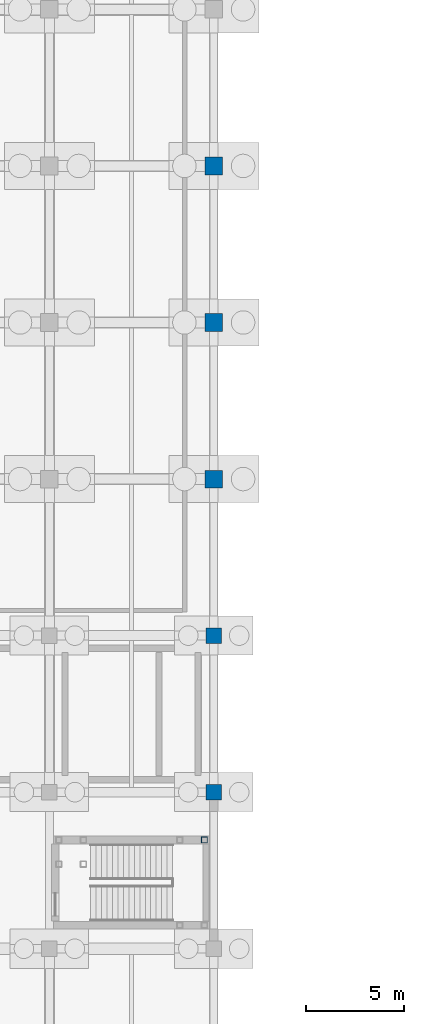
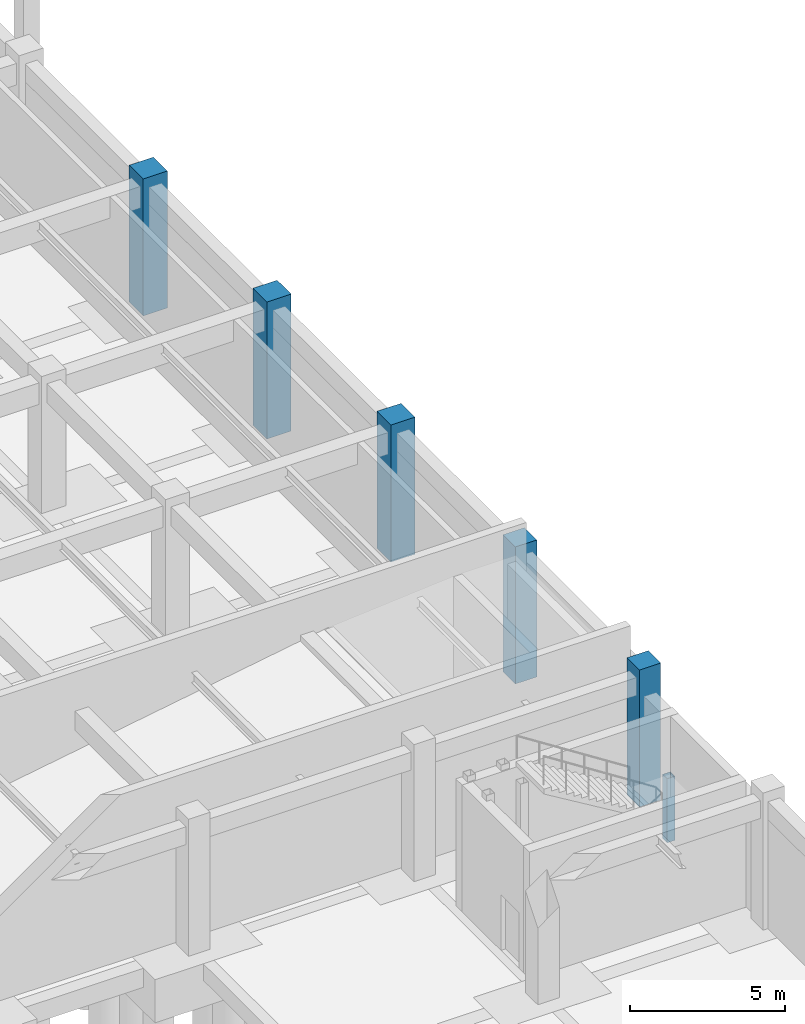
# One storey, part 29 of 56: 6 columns.
"""IFC4 building model written with IfcOpenShell, lengths in metres."""

import ifcopenshell
import ifcopenshell.guid

model = None  # the IFC model being written
_history = None  # IfcOwnerHistory: only IFC2X3 demands one
_inside = {}  # id of a spatial element -> (the spatial element, [elements in it])
_under = {}  # id of a project, library or spatial element -> (it, [spatial elements below it])
_declared = {}  # id of a project -> (the project, [libraries it declares])
_typed = {}  # id of a type object -> (the type object, [elements of that type])
_made_of = {}  # id of a material, layer set ... -> (it, [elements and type objects made of it])


def new_model(schema):
    """Start an empty IFC model of exactly this schema.

    Asked for "IFC4X3", IfcOpenShell would pick the latest addendum, in which some entities
    have other attributes; the version numbers below select the first issue.
    IFC2X3 requires an IfcOwnerHistory on every rooted entity: one is made here for all.
    """
    global model, _history
    if schema == "IFC4X3":
        model = ifcopenshell.file(schema_version=(4, 3, 0, 0))
    else:
        model = ifcopenshell.file(schema=schema)
    _inside.clear()
    _under.clear()
    _declared.clear()
    _typed.clear()
    _made_of.clear()
    _history = None
    if model.schema == "IFC2X3":
        org = make("IfcOrganization", Name="unknown")
        user = make(
            "IfcPersonAndOrganization",
            ThePerson=make("IfcPerson", FamilyName="unknown"),
            TheOrganization=org,
        )
        app = make(
            "IfcApplication",
            ApplicationDeveloper=org,
            Version="unknown",
            ApplicationFullName="unknown",
            ApplicationIdentifier="unknown",
        )
        _history = make(
            "IfcOwnerHistory",
            OwningUser=user,
            OwningApplication=app,
            ChangeAction="ADDED",
            CreationDate=0,
        )
    return model


def make(cls, **values):
    """One entity of the class cls with the attributes given. An attribute that is None is left unset."""
    return model.create_entity(
        cls, **{name: value for name, value in values.items() if value is not None}
    )


def rooted(cls, **values):
    """An entity with a GlobalId (a new one), such as an element, a storey or a relation."""
    return make(cls, GlobalId=ifcopenshell.guid.new(), OwnerHistory=_history, **values)


def si_unit(unit_type, name, prefix=None):
    """IfcSIUnit, for example si_unit("LENGTHUNIT", "METRE", prefix="MILLI")."""
    return make("IfcSIUnit", UnitType=unit_type, Prefix=prefix, Name=name)


def assignment(units):
    """IfcUnitAssignment: the units of a project."""
    return None if units is None else make("IfcUnitAssignment", Units=units)


def point(xyz):
    """IfcCartesianPoint."""
    return None if xyz is None else make("IfcCartesianPoint", Coordinates=xyz)


def direction(xyz):
    """IfcDirection."""
    return None if xyz is None else make("IfcDirection", DirectionRatios=xyz)


def frame(location, z_axis=None, x_axis=None):
    """IfcAxis2Placement3D, a coordinate frame: its origin and axes. An axis left out is left unset."""
    return make(
        "IfcAxis2Placement3D",
        Location=point(location),
        Axis=direction(z_axis),
        RefDirection=direction(x_axis),
    )


def frame_2d(location, x_axis=None):
    """IfcAxis2Placement2D, a coordinate frame in the plane: its origin and x axis."""
    return make(
        "IfcAxis2Placement2D", Location=point(location), RefDirection=direction(x_axis)
    )


def origin():
    """The frame at (0, 0, 0) with its axes left unset."""
    return frame((0.0, 0.0, 0.0))


def origin_2d():
    """The frame at (0, 0) in the plane with its x axis left unset."""
    return frame_2d((0.0, 0.0))


def place(relative_to, where):
    """IfcLocalPlacement: puts the frame where relative to a parent placement (None: the world)."""
    return make(
        "IfcLocalPlacement", PlacementRelTo=relative_to, RelativePlacement=where
    )


def context(
    kind, dimensions, precision=None, world=None, true_north=None, identifier=None
):
    """IfcGeometricRepresentationContext, for example the 3D "Model" context."""
    return make(
        "IfcGeometricRepresentationContext",
        ContextIdentifier=identifier,
        ContextType=kind,
        CoordinateSpaceDimension=dimensions,
        Precision=precision,
        WorldCoordinateSystem=world,
        TrueNorth=true_north,
    )


def subcontext(parent, identifier, kind, view, scale=None):
    """IfcGeometricRepresentationSubContext, for example "Body" below "Model"."""
    return make(
        "IfcGeometricRepresentationSubContext",
        ContextIdentifier=identifier,
        ContextType=kind,
        ParentContext=parent,
        TargetScale=scale,
        TargetView=view,
    )


def project(units=None, contexts=None):
    """IfcProject with its units and contexts."""
    return rooted(
        "IfcProject",
        Name="project",
        RepresentationContexts=contexts,
        UnitsInContext=assignment(units),
    )


def spatial(cls, under=None, at=None, **own):
    """A site, building, storey or space (cls), placed at a placement, below another one or the project."""
    s = rooted(cls, ObjectPlacement=at, **own)
    if under is not None:
        _under.setdefault(under.id(), (under, []))[1].append(s)
    return s


def profile(cls, at=None, kind="AREA", **sizes):
    """A parametric profile (cls). Its sizes go by their IFC names, for example OverallWidth=200.0."""
    return make(cls, ProfileType=kind, Position=at, **sizes)


def rectangle(**sizes):
    """IfcRectangleProfileDef."""
    return profile("IfcRectangleProfileDef", **sizes)


def hollow_rectangle(**sizes):
    """IfcRectangleHollowProfileDef."""
    return profile("IfcRectangleHollowProfileDef", **sizes)


def extrude(swept, where, along, depth):
    """IfcExtrudedAreaSolid: the profile swept, set in the frame where, extruded along a direction by depth."""
    return make(
        "IfcExtrudedAreaSolid",
        SweptArea=swept,
        Position=where,
        ExtrudedDirection=direction(along),
        Depth=depth,
    )


def shape(context_of_items, identifier, shape_type, items):
    """IfcShapeRepresentation: the items that make up one representation, for example the "Body"."""
    return make(
        "IfcShapeRepresentation",
        ContextOfItems=context_of_items,
        RepresentationIdentifier=identifier,
        RepresentationType=shape_type,
        Items=items,
    )


def material(Name=None, Category=None):
    """IfcMaterial."""
    return make("IfcMaterial", Name=Name, Category=Category)


def material_profile(
    of_material, cross_section, Name=None, Category=None, Priority=None
):
    """IfcMaterialProfile: a cross section and its material."""
    return make(
        "IfcMaterialProfile",
        Name=Name,
        Material=of_material,
        Profile=cross_section,
        Priority=Priority,
        Category=Category,
    )


def profile_set(profiles, Name=None, composite=None):
    """IfcMaterialProfileSet."""
    return make(
        "IfcMaterialProfileSet",
        Name=Name,
        MaterialProfiles=profiles,
        CompositeProfile=composite,
    )


def made_of(thing, what):
    """Note that an element or type object is made of a material, layer set ...; save() writes the relation."""
    if what is not None:
        _made_of.setdefault(what.id(), (what, []))[1].append(thing)
    return thing


def type_object(cls, material=None, **own):
    """A type object (cls), such as IfcWallType, which elements share."""
    return made_of(rooted(cls, **own), material)


def element(
    cls,
    number,
    at=None,
    inside=None,
    cuts=None,
    type_object=None,
    material=None,
    context=None,
    identifier="Body",
    shape_type=None,
    held_by="IfcProductDefinitionShape",
    body=None,
    shapes=None,
    **own,
):
    """One element of the class cls, such as IfcWall. Its Tag is "e" and its number.

    at: its placement. inside: the storey or other place that contains it. cuts: it is an
    opening in that element (IfcRelVoidsElement). A single representation is given by context,
    identifier, shape_type and body (its items); several are given by shapes. held_by: the class
    of the entity that holds the representations. save() writes the other relations.
    """
    e = rooted(cls, Tag="e%d" % number, ObjectPlacement=at, **own)
    if body is not None:
        shapes = [shape(context, identifier, shape_type, body)]
    if shapes is not None:
        e.Representation = make(held_by, Representations=shapes)
    if inside is not None:
        _inside.setdefault(inside.id(), (inside, []))[1].append(e)
    if cuts is not None:
        rooted(
            "IfcRelVoidsElement", RelatingBuildingElement=cuts, RelatedOpeningElement=e
        )
    if type_object is not None:
        _typed.setdefault(type_object.id(), (type_object, []))[1].append(e)
    return made_of(e, material)


def aggregate(whole, parts):
    """IfcRelAggregates: a whole, such as a stair, and the parts it consists of."""
    return rooted("IfcRelAggregates", RelatingObject=whole, RelatedObjects=parts)


def save(model, path):
    """Write the relations noted so far, then the file.

    IfcRelAggregates (storeys below a building ...), IfcRelContainedInSpatialStructure (elements
    in a storey), IfcRelDefinesByType, IfcRelAssociatesMaterial and IfcRelDeclares: one each for
    every whole, place, type object, material and project.
    """
    for whole, parts in _under.values():
        aggregate(whole, parts)
    for where, things in _inside.values():
        rooted(
            "IfcRelContainedInSpatialStructure",
            RelatedElements=things,
            RelatingStructure=where,
        )
    for kind, things in _typed.values():
        rooted("IfcRelDefinesByType", RelatedObjects=things, RelatingType=kind)
    for what, things in _made_of.values():
        rooted("IfcRelAssociatesMaterial", RelatedObjects=things, RelatingMaterial=what)
    for by, libraries in _declared.values():
        rooted("IfcRelDeclares", RelatingContext=by, RelatedDefinitions=libraries)
    model.write(path)


model = new_model("IFC4")

# Units and contexts
model_context = context("Model", 3, precision=1e-05, world=origin(), true_north=direction((0.0, 1.0)))
body_context = subcontext(model_context, "Body", "Model", "MODEL_VIEW")
ifc_project = project(units=[si_unit("LENGTHUNIT", "METRE"), si_unit("AREAUNIT", "SQUARE_METRE"), si_unit("VOLUMEUNIT", "CUBIC_METRE"), si_unit("PLANEANGLEUNIT", "RADIAN"), si_unit("MASSUNIT", "GRAM", prefix="KILO")], contexts=[model_context])

# Site, building, storey
site_placement = place(None, origin())
site = spatial("IfcSite", under=ifc_project, at=site_placement, CompositionType="ELEMENT")
building_placement = place(site_placement, origin())
building = spatial("IfcBuilding", under=site, at=building_placement, Name="Naruveol Harbour Congress Hotel", CompositionType="ELEMENT")
storey_placement = place(building_placement, frame((0.0, 0.0, -5.39990234375)))
storey = spatial("IfcBuildingStorey", under=building, at=storey_placement, Name="B01", CompositionType="ELEMENT", Elevation=-5.39990234375)

# Columns
ifc_material_1 = material(Name="Concrete C50/60", Category="concrete")
ifc_material_profile_1 = material_profile(ifc_material_1, rectangle(XDim=0.800048828125, YDim=0.800048828125, at=origin_2d()), Name="RC-800x800")
ifc_profile_set_1 = profile_set([ifc_material_profile_1], Name="Concrete C50/60")
column_type_1 = type_object("IfcColumnType", Name="RC PODIUM COLUMN 800X800", PredefinedType="COLUMN", material=ifc_profile_set_1)
for number, where, z_axis, x_axis, name in (
    (1, (126.0, 64.0, 0.0), (0.0, 0.0, 1.0), (1.0, 0.0, 0.0), "Column C-800 B01 (126.0,64.0)"),
    (2, (126.0, 72.0, 0.0), (0.0, 0.0, 1.0), (1.0, 0.0, 0.0), "Column C-800 B01 (126.0,72.0)"),
):
    element("IfcColumn", number, at=place(storey_placement, frame(where, z_axis=z_axis, x_axis=x_axis)), inside=storey, type_object=column_type_1, Name=name, PredefinedType="COLUMN", context=body_context, shape_type="SweptSolid", body=[
        extrude(rectangle(XDim=0.800048828125, YDim=0.800048828125, at=origin_2d()), origin(), (0.0, 0.0, 1.0), 5.39990234375),
    ])
ifc_material_2 = material(Name="Concrete C50/60", Category="concrete")
ifc_material_profile_2 = material_profile(ifc_material_2, rectangle(XDim=0.89990234375, YDim=0.89990234375, at=origin_2d()), Name="RC-900x900")
ifc_profile_set_2 = profile_set([ifc_material_profile_2], Name="Concrete C50/60")
column_type_2 = type_object("IfcColumnType", Name="RC PRIMARY COLUMN 900X900", PredefinedType="COLUMN", material=ifc_profile_set_2)
for number, where, z_axis, x_axis, name in (
    (3, (126.0, 80.0, 0.0), (0.0, 0.0, 1.0), (1.0, 0.0, 0.0), "Column C-900 B01 (126.0,80.0)"),
    (4, (126.0, 88.0, 0.0), (0.0, 0.0, 1.0), (1.0, 0.0, 0.0), "Column C-900 B01 (126.0,88.0)"),
    (5, (126.0, 96.0, 0.0), (0.0, 0.0, 1.0), (1.0, 0.0, 0.0), "Column C-900 B01 (126.0,96.0)"),
):
    element("IfcColumn", number, at=place(storey_placement, frame(where, z_axis=z_axis, x_axis=x_axis)), inside=storey, type_object=column_type_2, Name=name, PredefinedType="COLUMN", context=body_context, shape_type="SweptSolid", body=[
        extrude(rectangle(XDim=0.89990234375, YDim=0.89990234375, at=origin_2d()), origin(), (0.0, 0.0, 1.0), 5.39990234375),
    ])
ifc_material_3 = material(Name="Steel SN490", Category="steel")
ifc_material_profile_3 = material_profile(ifc_material_3, hollow_rectangle(XDim=0.300048828125, YDim=0.300048828125, WallThickness=0.011962890625, at=origin_2d()), Name="SHS-300x300x12")
ifc_profile_set_3 = profile_set([ifc_material_profile_3], Name="Steel SN490")
column_type_3 = type_object("IfcColumnType", Name="STEEL COLONNADE POST SHS300", PredefinedType="COLUMN", material=ifc_profile_set_3)
column_placement = place(storey_placement, frame((125.52001953125, 61.56005859375, 0.0), z_axis=(0.0, 0.0, 1.0), x_axis=(1.0, 0.0, 0.0)))
element("IfcColumn", 6, at=column_placement, inside=storey, type_object=column_type_3, Name="Stair landing support post ST9E #453", PredefinedType="COLUMN", context=body_context, shape_type="SweptSolid", body=[
    extrude(hollow_rectangle(XDim=0.300048828125, YDim=0.300048828125, WallThickness=0.011962890625, at=origin_2d()), origin(), (0.0, 0.0, 1.0), 2.52001953125),
])

save(model, "model.ifc")
